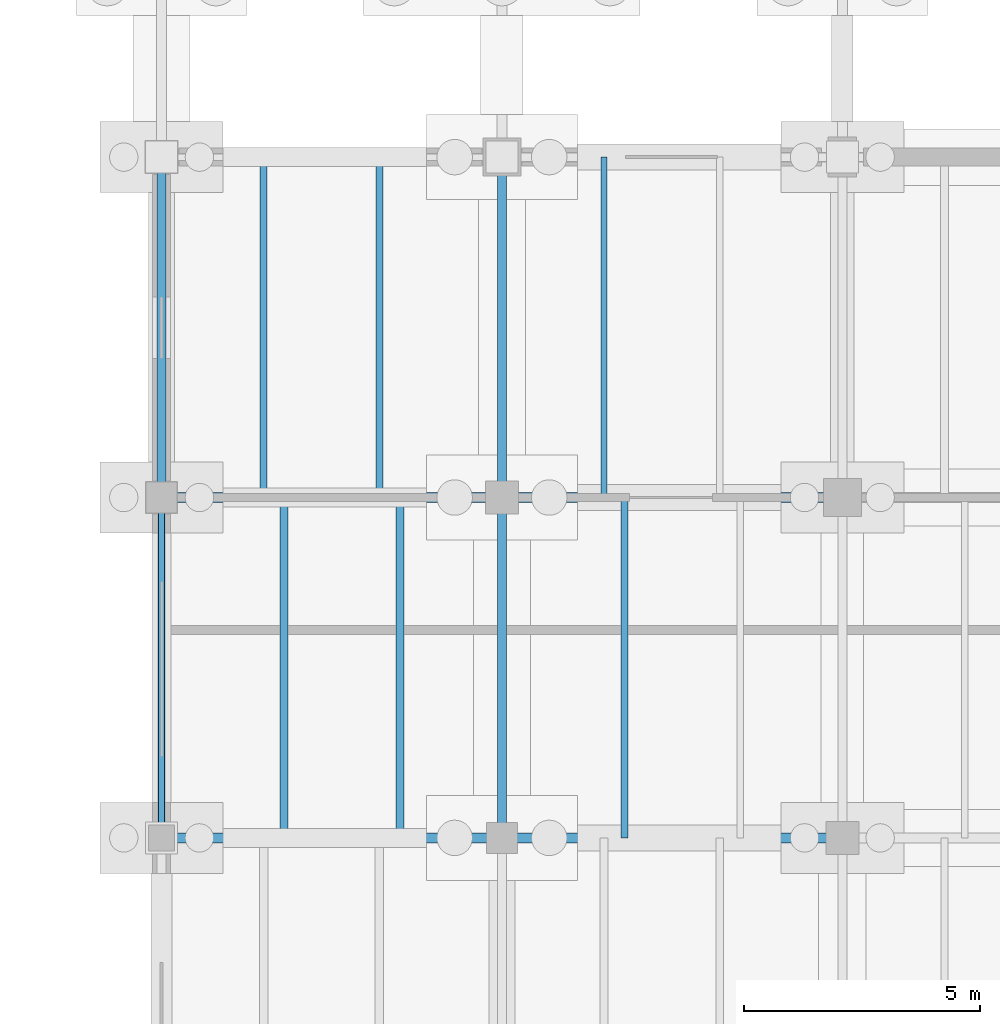
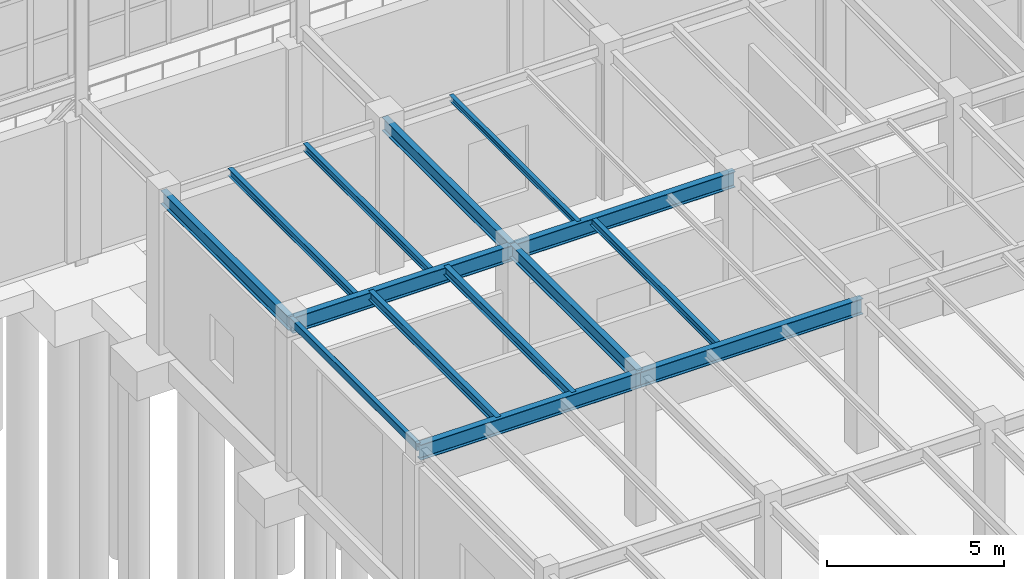
# One storey, part 131 of 293: 14 beams.
"""IFC4 building model written with IfcOpenShell, lengths in metres."""

from ifc_helpers import new_model, si_unit, direction, frame, origin, origin_2d, place, context, subcontext, project, spatial, hollow_rectangle, i_section, extrude, material, material_profile, profile_set, type_object, element, save


model = new_model("IFC4")

# Units and contexts
model_context = context("Model", 3, precision=1e-05, world=origin(), true_north=direction((0.0, 1.0)))
body_context = subcontext(model_context, "Body", "Model", "MODEL_VIEW")
ifc_project = project(units=[si_unit("LENGTHUNIT", "METRE"), si_unit("AREAUNIT", "SQUARE_METRE"), si_unit("VOLUMEUNIT", "CUBIC_METRE"), si_unit("PLANEANGLEUNIT", "RADIAN"), si_unit("MASSUNIT", "GRAM", prefix="KILO")], contexts=[model_context])

# Site, building, storey
site_placement = place(None, origin())
site = spatial("IfcSite", under=ifc_project, at=site_placement, CompositionType="ELEMENT")
building_placement = place(site_placement, origin())
building = spatial("IfcBuilding", under=site, at=building_placement, Name="Kemerveld Promenade Tramway Depot", CompositionType="ELEMENT")
storey_placement = place(building_placement, origin())
storey = spatial("IfcBuildingStorey", under=building, at=storey_placement, Name="L00", CompositionType="ELEMENT", Elevation=0.0)

# Beams
ifc_material = material(Name="Steel S355", Category="steel")
ifc_material_profile_1 = material_profile(ifc_material, i_section(OverallWidth=0.2099609375, OverallDepth=0.53662109375, WebThickness=0.0107421875, FlangeThickness=0.017333984375, FilletRadius=0.0126953125, at=origin_2d()), Name="533x210x101 UB")
ifc_profile_set_1 = profile_set([ifc_material_profile_1], Name="Steel S355")
beam_type_1 = type_object("IfcBeamType", Name="BM-G05", PredefinedType="BEAM", material=ifc_profile_set_1)
beam_1_placement = place(storey_placement, frame((115.199951171875, 64.800048828125, 4.811767578125), z_axis=(1.0, 0.0, 0.0), x_axis=(0.0, 1.0, 0.0)))
element("IfcBeam", 1, at=beam_1_placement, inside=storey, type_object=beam_type_1, Name="BMX-L00-17-18-K", PredefinedType="BEAM", context=body_context, shape_type="SweptSolid", body=[
    extrude(i_section(OverallWidth=0.2099609375, OverallDepth=0.53662109375, WebThickness=0.0107421875, FlangeThickness=0.017333984375, FilletRadius=0.0126953125, at=origin_2d()), origin(), (0.0, 0.0, 1.0), 7.199951171875),
])
beam_2_placement = place(storey_placement, frame((122.39990234375, 64.800048828125, 4.811767578125), z_axis=(1.0, 0.0, 0.0), x_axis=(0.0, 1.0, 0.0)))
element("IfcBeam", 2, at=beam_2_placement, inside=storey, type_object=beam_type_1, Name="BMX-L00-18-19-K", PredefinedType="BEAM", context=body_context, shape_type="SweptSolid", body=[
    extrude(i_section(OverallWidth=0.2099609375, OverallDepth=0.53662109375, WebThickness=0.0107421875, FlangeThickness=0.017333984375, FilletRadius=0.0126953125, at=origin_2d()), origin(), (0.0, 0.0, 1.0), 7.2001953125),
])
beam_3_placement = place(storey_placement, frame((115.199951171875, 72.0, 4.811767578125), z_axis=(1.0, 0.0, 0.0), x_axis=(0.0, 1.0, 0.0)))
element("IfcBeam", 3, at=beam_3_placement, inside=storey, type_object=beam_type_1, Name="BMX-L00-17-18-L", PredefinedType="BEAM", context=body_context, shape_type="SweptSolid", body=[
    extrude(i_section(OverallWidth=0.2099609375, OverallDepth=0.53662109375, WebThickness=0.0107421875, FlangeThickness=0.017333984375, FilletRadius=0.0126953125, at=origin_2d()), origin(), (0.0, 0.0, 1.0), 7.199951171875),
])
beam_4_placement = place(storey_placement, frame((122.39990234375, 72.0, 4.811767578125), z_axis=(1.0, 0.0, 0.0), x_axis=(0.0, 1.0, 0.0)))
element("IfcBeam", 4, at=beam_4_placement, inside=storey, type_object=beam_type_1, Name="BMX-L00-18-19-L", PredefinedType="BEAM", context=body_context, shape_type="SweptSolid", body=[
    extrude(i_section(OverallWidth=0.2099609375, OverallDepth=0.53662109375, WebThickness=0.0107421875, FlangeThickness=0.017333984375, FilletRadius=0.0126953125, at=origin_2d()), origin(), (0.0, 0.0, 1.0), 7.2001953125),
])
ifc_material_profile_2 = material_profile(ifc_material, i_section(OverallWidth=0.19140625, OverallDepth=0.4599609375, WebThickness=0.010009765625, FlangeThickness=0.01611328125, FilletRadius=0.01025390625, at=origin_2d()), Name="457x191x82 UB")
ifc_profile_set_2 = profile_set([ifc_material_profile_2], Name="Steel S355")
beam_type_2 = type_object("IfcBeamType", Name="BM-G06", PredefinedType="BEAM", material=ifc_profile_set_2)
for number, where, z_axis, x_axis, name in (
    (5, (115.199951171875, 72.0, 4.85009765625), (0.0, 1.0, 0.0), (-1.0, 0.0, 0.0), "BMY-L00-17-L-M"),
    (6, (122.39990234375, 64.800048828125, 4.85009765625), (0.0, 1.0, 0.0), (-1.0, 0.0, 0.0), "BMY-L00-18-K-L"),
    (7, (122.39990234375, 72.0, 4.85009765625), (0.0, 1.0, 0.0), (-1.0, 0.0, 0.0), "BMY-L00-18-L-M"),
):
    element("IfcBeam", number, at=place(storey_placement, frame(where, z_axis=z_axis, x_axis=x_axis)), inside=storey, type_object=beam_type_2, Name=name, PredefinedType="BEAM", context=body_context, shape_type="SweptSolid", body=[
        extrude(i_section(OverallWidth=0.19140625, OverallDepth=0.4599609375, WebThickness=0.010009765625, FlangeThickness=0.01611328125, FilletRadius=0.01025390625, at=origin_2d()), origin(), (0.0, 0.0, 1.0), 7.199951171875),
    ])
ifc_material_profile_3 = material_profile(ifc_material, i_section(OverallWidth=0.165771484375, OverallDepth=0.306640625, WebThickness=0.006591796875, FlangeThickness=0.01171875, FilletRadius=0.0087890625, at=origin_2d()), Name="305x165x46 UB")
ifc_profile_set_3 = profile_set([ifc_material_profile_3], Name="Steel S355")
beam_type_3 = type_object("IfcBeamType", Name="BM-J01", PredefinedType="JOIST", material=ifc_profile_set_3)
for number, where, z_axis, x_axis, name in (
    (8, (117.7919921875, 64.800048828125, 4.9267578125), (0.0, 1.0, 0.0), (-1.0, 0.0, 0.0), "JST-L00-17-K-1"),
    (9, (120.239990234375, 64.800048828125, 4.9267578125), (0.0, 1.0, 0.0), (-1.0, 0.0, 0.0), "JST-L00-17-K-2"),
):
    element("IfcBeam", number, at=place(storey_placement, frame(where, z_axis=z_axis, x_axis=x_axis)), inside=storey, type_object=beam_type_3, Name=name, PredefinedType="JOIST", context=body_context, shape_type="SweptSolid", body=[
        extrude(i_section(OverallWidth=0.165771484375, OverallDepth=0.306640625, WebThickness=0.006591796875, FlangeThickness=0.01171875, FilletRadius=0.0087890625, at=origin_2d()), origin(), (0.0, 0.0, 1.0), 7.199951171875),
    ])
ifc_material_profile_4 = material_profile(ifc_material, i_section(OverallWidth=0.146484375, OverallDepth=0.256103515625, WebThickness=0.00634765625, FlangeThickness=0.010986328125, FilletRadius=0.007568359375, at=origin_2d()), Name="254x146x37 UB")
ifc_profile_set_4 = profile_set([ifc_material_profile_4], Name="Steel S355")
beam_type_4 = type_object("IfcBeamType", Name="BM-J02", PredefinedType="JOIST", material=ifc_profile_set_4)
for number, where, z_axis, x_axis, name in (
    (10, (117.360107421875, 72.0, 4.951904296875), (0.0, 1.0, 0.0), (-1.0, 0.0, 0.0), "JST-L00-17-L-1"),
    (11, (119.80810546875, 72.0, 4.951904296875), (0.0, 1.0, 0.0), (-1.0, 0.0, 0.0), "JST-L00-17-L-2"),
    (12, (124.991943359375, 64.800048828125, 4.951904296875), (0.0, 1.0, 0.0), (-1.0, 0.0, 0.0), "JST-L00-18-K-1"),
):
    element("IfcBeam", number, at=place(storey_placement, frame(where, z_axis=z_axis, x_axis=x_axis)), inside=storey, type_object=beam_type_4, Name=name, PredefinedType="JOIST", context=body_context, shape_type="SweptSolid", body=[
        extrude(i_section(OverallWidth=0.146484375, OverallDepth=0.256103515625, WebThickness=0.00634765625, FlangeThickness=0.010986328125, FilletRadius=0.007568359375, at=origin_2d()), origin(), (0.0, 0.0, 1.0), 7.199951171875),
    ])
ifc_material_profile_5 = material_profile(ifc_material, i_section(OverallWidth=0.13330078125, OverallDepth=0.203125, WebThickness=0.005615234375, FlangeThickness=0.0078125, FilletRadius=0.007568359375, at=origin_2d()), Name="203x133x25 UB")
ifc_profile_set_5 = profile_set([ifc_material_profile_5], Name="Steel S355")
beam_type_5 = type_object("IfcBeamType", Name="BM-J03", PredefinedType="JOIST", material=ifc_profile_set_5)
beam_5_placement = place(storey_placement, frame((124.56005859375, 72.0, 4.978515625), z_axis=(0.0, 1.0, 0.0), x_axis=(-1.0, 0.0, 0.0)))
element("IfcBeam", 13, at=beam_5_placement, inside=storey, type_object=beam_type_5, Name="JST-L00-18-L-1", PredefinedType="JOIST", context=body_context, shape_type="SweptSolid", body=[
    extrude(i_section(OverallWidth=0.13330078125, OverallDepth=0.203125, WebThickness=0.005615234375, FlangeThickness=0.0078125, FilletRadius=0.007568359375, at=origin_2d()), origin(), (0.0, 0.0, 1.0), 7.199951171875),
])
ifc_material_profile_6 = material_profile(ifc_material, hollow_rectangle(XDim=0.14990234375, YDim=0.25, WallThickness=0.010009765625, InnerFilletRadius=0.0048828125, OuterFilletRadius=0.014892578125, at=origin_2d()), Name="250x150x10.0 RHS")
ifc_profile_set_6 = profile_set([ifc_material_profile_6], Name="Steel S355")
beam_type_6 = type_object("IfcBeamType", Name="BM-SP2", PredefinedType="SPANDREL", material=ifc_profile_set_6)
beam_6_placement = place(storey_placement, frame((115.199951171875, 64.800048828125, 4.955078125), z_axis=(0.0, 1.0, 0.0), x_axis=(-1.0, 0.0, 0.0)))
element("IfcBeam", 14, at=beam_6_placement, inside=storey, type_object=beam_type_6, Name="BMY-L00-17-K-L", PredefinedType="SPANDREL", context=body_context, shape_type="SweptSolid", body=[
    extrude(hollow_rectangle(XDim=0.14990234375, YDim=0.25, WallThickness=0.010009765625, InnerFilletRadius=0.0048828125, OuterFilletRadius=0.014892578125, at=origin_2d()), origin(), (0.0, 0.0, 1.0), 7.199951171875),
])

save(model, "model.ifc")
